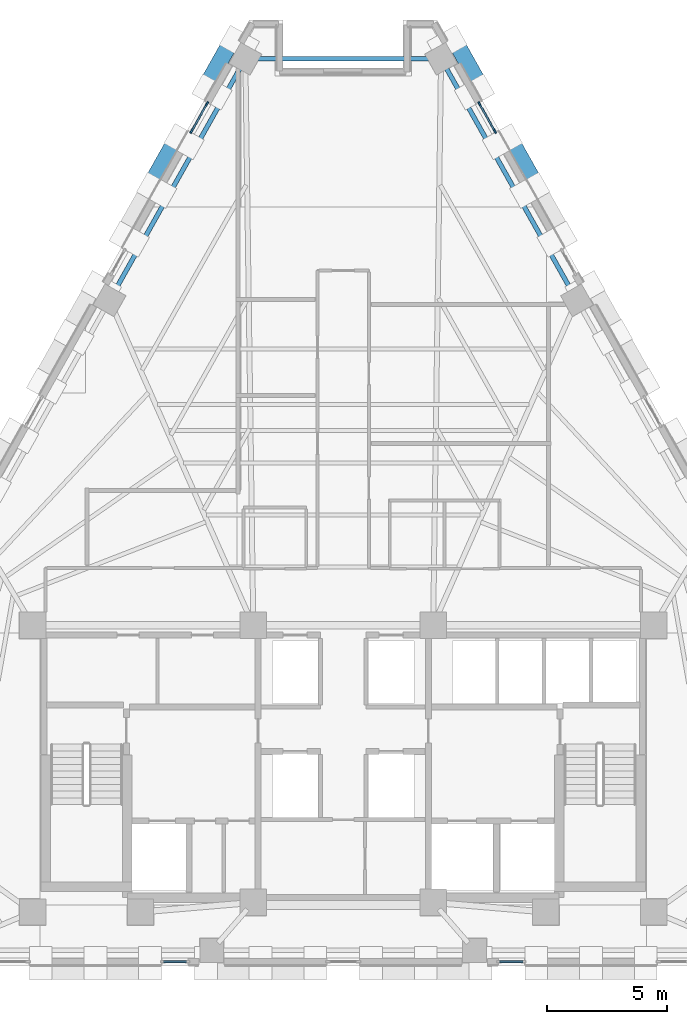
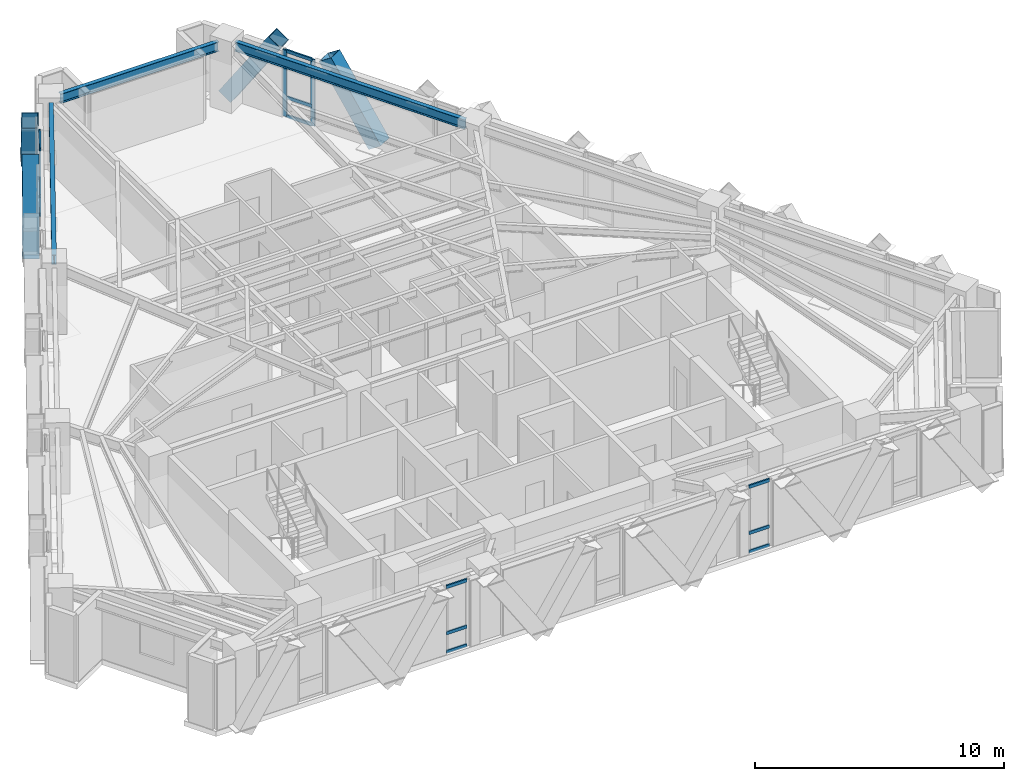
# One storey, part 5 of 13: 20 members, 3 beams, 4 elements without a shape of their own.
"""IFC4 building model written with IfcOpenShell, lengths in metres."""

import ifcopenshell
import ifcopenshell.guid

model = None  # the IFC model being written
_history = None  # IfcOwnerHistory: only IFC2X3 demands one
_inside = {}  # id of a spatial element -> (the spatial element, [elements in it])
_under = {}  # id of a project, library or spatial element -> (it, [spatial elements below it])
_declared = {}  # id of a project -> (the project, [libraries it declares])
_typed = {}  # id of a type object -> (the type object, [elements of that type])
_made_of = {}  # id of a material, layer set ... -> (it, [elements and type objects made of it])


def new_model(schema):
    """Start an empty IFC model of exactly this schema.

    Asked for "IFC4X3", IfcOpenShell would pick the latest addendum, in which some entities
    have other attributes; the version numbers below select the first issue.
    IFC2X3 requires an IfcOwnerHistory on every rooted entity: one is made here for all.
    """
    global model, _history
    if schema == "IFC4X3":
        model = ifcopenshell.file(schema_version=(4, 3, 0, 0))
    else:
        model = ifcopenshell.file(schema=schema)
    _inside.clear()
    _under.clear()
    _declared.clear()
    _typed.clear()
    _made_of.clear()
    _history = None
    if model.schema == "IFC2X3":
        org = make("IfcOrganization", Name="unknown")
        user = make(
            "IfcPersonAndOrganization",
            ThePerson=make("IfcPerson", FamilyName="unknown"),
            TheOrganization=org,
        )
        app = make(
            "IfcApplication",
            ApplicationDeveloper=org,
            Version="unknown",
            ApplicationFullName="unknown",
            ApplicationIdentifier="unknown",
        )
        _history = make(
            "IfcOwnerHistory",
            OwningUser=user,
            OwningApplication=app,
            ChangeAction="ADDED",
            CreationDate=0,
        )
    return model


def make(cls, **values):
    """One entity of the class cls with the attributes given. An attribute that is None is left unset."""
    return model.create_entity(
        cls, **{name: value for name, value in values.items() if value is not None}
    )


def rooted(cls, **values):
    """An entity with a GlobalId (a new one), such as an element, a storey or a relation."""
    return make(cls, GlobalId=ifcopenshell.guid.new(), OwnerHistory=_history, **values)


def si_unit(unit_type, name, prefix=None):
    """IfcSIUnit, for example si_unit("LENGTHUNIT", "METRE", prefix="MILLI")."""
    return make("IfcSIUnit", UnitType=unit_type, Prefix=prefix, Name=name)


def assignment(units):
    """IfcUnitAssignment: the units of a project."""
    return None if units is None else make("IfcUnitAssignment", Units=units)


def point(xyz):
    """IfcCartesianPoint."""
    return None if xyz is None else make("IfcCartesianPoint", Coordinates=xyz)


def direction(xyz):
    """IfcDirection."""
    return None if xyz is None else make("IfcDirection", DirectionRatios=xyz)


def frame(location, z_axis=None, x_axis=None):
    """IfcAxis2Placement3D, a coordinate frame: its origin and axes. An axis left out is left unset."""
    return make(
        "IfcAxis2Placement3D",
        Location=point(location),
        Axis=direction(z_axis),
        RefDirection=direction(x_axis),
    )


def frame_2d(location, x_axis=None):
    """IfcAxis2Placement2D, a coordinate frame in the plane: its origin and x axis."""
    return make(
        "IfcAxis2Placement2D", Location=point(location), RefDirection=direction(x_axis)
    )


def origin():
    """The frame at (0, 0, 0) with its axes left unset."""
    return frame((0.0, 0.0, 0.0))


def origin_2d():
    """The frame at (0, 0) in the plane with its x axis left unset."""
    return frame_2d((0.0, 0.0))


def place(relative_to, where):
    """IfcLocalPlacement: puts the frame where relative to a parent placement (None: the world)."""
    return make(
        "IfcLocalPlacement", PlacementRelTo=relative_to, RelativePlacement=where
    )


def context(
    kind, dimensions, precision=None, world=None, true_north=None, identifier=None
):
    """IfcGeometricRepresentationContext, for example the 3D "Model" context."""
    return make(
        "IfcGeometricRepresentationContext",
        ContextIdentifier=identifier,
        ContextType=kind,
        CoordinateSpaceDimension=dimensions,
        Precision=precision,
        WorldCoordinateSystem=world,
        TrueNorth=true_north,
    )


def subcontext(parent, identifier, kind, view, scale=None):
    """IfcGeometricRepresentationSubContext, for example "Body" below "Model"."""
    return make(
        "IfcGeometricRepresentationSubContext",
        ContextIdentifier=identifier,
        ContextType=kind,
        ParentContext=parent,
        TargetScale=scale,
        TargetView=view,
    )


def project(units=None, contexts=None):
    """IfcProject with its units and contexts."""
    return rooted(
        "IfcProject",
        Name="project",
        RepresentationContexts=contexts,
        UnitsInContext=assignment(units),
    )


def spatial(cls, under=None, at=None, **own):
    """A site, building, storey or space (cls), placed at a placement, below another one or the project."""
    s = rooted(cls, ObjectPlacement=at, **own)
    if under is not None:
        _under.setdefault(under.id(), (under, []))[1].append(s)
    return s


def profile(cls, at=None, kind="AREA", **sizes):
    """A parametric profile (cls). Its sizes go by their IFC names, for example OverallWidth=200.0."""
    return make(cls, ProfileType=kind, Position=at, **sizes)


def rectangle(**sizes):
    """IfcRectangleProfileDef."""
    return profile("IfcRectangleProfileDef", **sizes)


def hollow_rectangle(**sizes):
    """IfcRectangleHollowProfileDef."""
    return profile("IfcRectangleHollowProfileDef", **sizes)


def i_section(**sizes):
    """IfcIShapeProfileDef."""
    return profile("IfcIShapeProfileDef", **sizes)


def extrude(swept, where, along, depth):
    """IfcExtrudedAreaSolid: the profile swept, set in the frame where, extruded along a direction by depth."""
    return make(
        "IfcExtrudedAreaSolid",
        SweptArea=swept,
        Position=where,
        ExtrudedDirection=direction(along),
        Depth=depth,
    )


def shape(context_of_items, identifier, shape_type, items):
    """IfcShapeRepresentation: the items that make up one representation, for example the "Body"."""
    return make(
        "IfcShapeRepresentation",
        ContextOfItems=context_of_items,
        RepresentationIdentifier=identifier,
        RepresentationType=shape_type,
        Items=items,
    )


def material(Name=None, Category=None):
    """IfcMaterial."""
    return make("IfcMaterial", Name=Name, Category=Category)


def material_profile(
    of_material, cross_section, Name=None, Category=None, Priority=None
):
    """IfcMaterialProfile: a cross section and its material."""
    return make(
        "IfcMaterialProfile",
        Name=Name,
        Material=of_material,
        Profile=cross_section,
        Priority=Priority,
        Category=Category,
    )


def profile_set(profiles, Name=None, composite=None):
    """IfcMaterialProfileSet."""
    return make(
        "IfcMaterialProfileSet",
        Name=Name,
        MaterialProfiles=profiles,
        CompositeProfile=composite,
    )


def made_of(thing, what):
    """Note that an element or type object is made of a material, layer set ...; save() writes the relation."""
    if what is not None:
        _made_of.setdefault(what.id(), (what, []))[1].append(thing)
    return thing


def type_object(cls, material=None, **own):
    """A type object (cls), such as IfcWallType, which elements share."""
    return made_of(rooted(cls, **own), material)


def element(
    cls,
    number,
    at=None,
    inside=None,
    cuts=None,
    type_object=None,
    material=None,
    context=None,
    identifier="Body",
    shape_type=None,
    held_by="IfcProductDefinitionShape",
    body=None,
    shapes=None,
    **own,
):
    """One element of the class cls, such as IfcWall. Its Tag is "e" and its number.

    at: its placement. inside: the storey or other place that contains it. cuts: it is an
    opening in that element (IfcRelVoidsElement). A single representation is given by context,
    identifier, shape_type and body (its items); several are given by shapes. held_by: the class
    of the entity that holds the representations. save() writes the other relations.
    """
    e = rooted(cls, Tag="e%d" % number, ObjectPlacement=at, **own)
    if body is not None:
        shapes = [shape(context, identifier, shape_type, body)]
    if shapes is not None:
        e.Representation = make(held_by, Representations=shapes)
    if inside is not None:
        _inside.setdefault(inside.id(), (inside, []))[1].append(e)
    if cuts is not None:
        rooted(
            "IfcRelVoidsElement", RelatingBuildingElement=cuts, RelatedOpeningElement=e
        )
    if type_object is not None:
        _typed.setdefault(type_object.id(), (type_object, []))[1].append(e)
    return made_of(e, material)


def aggregate(whole, parts):
    """IfcRelAggregates: a whole, such as a stair, and the parts it consists of."""
    return rooted("IfcRelAggregates", RelatingObject=whole, RelatedObjects=parts)


def save(model, path):
    """Write the relations noted so far, then the file.

    IfcRelAggregates (storeys below a building ...), IfcRelContainedInSpatialStructure (elements
    in a storey), IfcRelDefinesByType, IfcRelAssociatesMaterial and IfcRelDeclares: one each for
    every whole, place, type object, material and project.
    """
    for whole, parts in _under.values():
        aggregate(whole, parts)
    for where, things in _inside.values():
        rooted(
            "IfcRelContainedInSpatialStructure",
            RelatedElements=things,
            RelatingStructure=where,
        )
    for kind, things in _typed.values():
        rooted("IfcRelDefinesByType", RelatedObjects=things, RelatingType=kind)
    for what, things in _made_of.values():
        rooted("IfcRelAssociatesMaterial", RelatedObjects=things, RelatingMaterial=what)
    for by, libraries in _declared.values():
        rooted("IfcRelDeclares", RelatingContext=by, RelatedDefinitions=libraries)
    model.write(path)


model = new_model("IFC4")

# Units and contexts
model_context = context("Model", 3, precision=1e-05, world=origin(), true_north=direction((0.0, 1.0)))
body_context = subcontext(model_context, "Body", "Model", "MODEL_VIEW")
ifc_project = project(units=[si_unit("LENGTHUNIT", "METRE"), si_unit("AREAUNIT", "SQUARE_METRE"), si_unit("VOLUMEUNIT", "CUBIC_METRE"), si_unit("PLANEANGLEUNIT", "RADIAN"), si_unit("MASSUNIT", "GRAM", prefix="KILO")], contexts=[model_context])

# Site, building, storey
site_placement = place(None, origin())
site = spatial("IfcSite", under=ifc_project, at=site_placement, CompositionType="ELEMENT")
building_placement = place(site_placement, origin())
building = spatial("IfcBuilding", under=site, at=building_placement, Name="Quenlor Broadcast Tower", CompositionType="ELEMENT")
storey_placement = place(building_placement, frame((0.0, 0.0, 151.0)))
storey = spatial("IfcBuildingStorey", under=building, at=storey_placement, Name="L41", CompositionType="ELEMENT", Elevation=151.0)

# Curtain wall, members
ifc_material_1 = material(Name="Architectural Terracotta and Low-E Glazing", Category="masonry")
curtain_wall_type = type_object("IfcCurtainWallType", Name="Unitised Terracotta Curtain Wall System Z3", PredefinedType="NOTDEFINED", material=ifc_material_1)
curtain_wall_1_placement = place(storey_placement, origin())
curtain_wall_1 = element("IfcCurtainWall", 1, at=curtain_wall_1_placement, inside=storey, type_object=curtain_wall_type, Name="L41 Curtain Wall CW3 (L41-NEA-G1)", PredefinedType="NOTDEFINED")
ifc_material_2 = material(Name="Aluminium 6063-T6", Category="aluminium")
ifc_material_profile_1 = material_profile(ifc_material_2, rectangle(XDim=0.070068359375, YDim=0.18994140625, at=origin_2d()))
ifc_profile_set_1 = profile_set([ifc_material_profile_1], Name="Aluminium 6063-T6 MULL70x190")
member_type_1 = type_object("IfcMemberType", Name="CW3 Aluminium Mullion MULL_CW3", PredefinedType="MULLION", material=ifc_profile_set_1)
member_1_placement = place(storey_placement, frame((5.677978515625, 16.94921875, 0.0), z_axis=(0.0, 0.0, 1.0), x_axis=(0.871592831439, 0.490230492916, 0.0)))
member_1 = element("IfcMember", 2, at=member_1_placement, type_object=member_type_1, Name="CW3 mullion 1", PredefinedType="MULLION", context=body_context, shape_type="SweptSolid", body=[
    extrude(rectangle(XDim=0.070068359375, YDim=0.18994140625, at=origin_2d()), origin(), (0.0, 0.0, 1.0), 3.25),
])
member_2_placement = place(storey_placement, frame((6.324951171875, 15.798828125, 0.0), z_axis=(0.0, 0.0, 1.0), x_axis=(0.871592831439, 0.490230492916, 0.0)))
member_2 = element("IfcMember", 3, at=member_2_placement, type_object=member_type_1, Name="CW3 mullion 2", PredefinedType="MULLION", context=body_context, shape_type="SweptSolid", body=[
    extrude(rectangle(XDim=0.070068359375, YDim=0.18994140625, at=origin_2d()), origin(), (0.0, 0.0, 1.0), 3.25),
])

curtain_wall_2_placement = place(storey_placement, origin())
curtain_wall_2 = element("IfcCurtainWall", 4, at=curtain_wall_2_placement, inside=storey, type_object=curtain_wall_type, Name="L41 Curtain Wall CW3 (L41-NWC-G2)", PredefinedType="NOTDEFINED")
member_3_placement = place(storey_placement, frame((-6.324951171875, 15.798828125, 0.0), z_axis=(0.0, 0.0, 1.0), x_axis=(-0.871592831439, 0.490230492916, 0.0)))
member_3 = element("IfcMember", 5, at=member_3_placement, type_object=member_type_1, Name="CW3 mullion 1", PredefinedType="MULLION", context=body_context, shape_type="SweptSolid", body=[
    extrude(rectangle(XDim=0.070068359375, YDim=0.18994140625, at=origin_2d()), origin(), (0.0, 0.0, 1.0), 3.25),
])
member_4_placement = place(storey_placement, frame((-5.677978515625, 16.94921875, 0.0), z_axis=(0.0, 0.0, 1.0), x_axis=(-0.871592831439, 0.490230492916, 0.0)))
member_4 = element("IfcMember", 6, at=member_4_placement, type_object=member_type_1, Name="CW3 mullion 2", PredefinedType="MULLION", context=body_context, shape_type="SweptSolid", body=[
    extrude(rectangle(XDim=0.070068359375, YDim=0.18994140625, at=origin_2d()), origin(), (0.0, 0.0, 1.0), 3.25),
])

curtain_wall_3_placement = place(storey_placement, origin())
curtain_wall_3 = element("IfcCurtainWall", 7, at=curtain_wall_3_placement, inside=storey, type_object=curtain_wall_type, Name="L41 Curtain Wall CW3 (L41-SA-G2)", PredefinedType="NOTDEFINED")
ifc_material_3 = material(Name="Aluminium 6063-T6", Category="aluminium")
ifc_material_profile_2 = material_profile(ifc_material_3, rectangle(XDim=0.070068359375, YDim=0.155029296875, at=origin_2d()))
ifc_profile_set_2 = profile_set([ifc_material_profile_2], Name="Aluminium 6063-T6 TRAN70x155")
member_type_2 = type_object("IfcMemberType", Name="CW3 Aluminium Transom TRAN_CW3", PredefinedType="USERDEFINED", material=ifc_profile_set_2)
member_5_placement = place(storey_placement, frame((7.487060546875, -18.824951171875, 0.034912109375), z_axis=(-1.0, 0.0, 0.0), x_axis=(0.0, -1.0, 0.0)))
member_5 = element("IfcMember", 8, at=member_5_placement, type_object=member_type_2, Name="CW3 transom 1.1", ObjectType="TRANSOM", PredefinedType="USERDEFINED", context=body_context, shape_type="SweptSolid", body=[
    extrude(rectangle(XDim=0.070068359375, YDim=0.155029296875, at=origin_2d()), origin(), (0.0, 0.0, 1.0), 0.951171875),
])
member_6_placement = place(storey_placement, frame((7.487060546875, -18.824951171875, 0.949951171875), z_axis=(-1.0, 0.0, 0.0), x_axis=(0.0, -1.0, 0.0)))
member_6 = element("IfcMember", 9, at=member_6_placement, type_object=member_type_2, Name="CW3 transom 1.2", ObjectType="TRANSOM", PredefinedType="USERDEFINED", context=body_context, shape_type="SweptSolid", body=[
    extrude(rectangle(XDim=0.070068359375, YDim=0.155029296875, at=origin_2d()), origin(), (0.0, 0.0, 1.0), 0.951171875),
])
member_7_placement = place(storey_placement, frame((7.487060546875, -18.824951171875, 3.215087890625), z_axis=(-1.0, 0.0, 0.0), x_axis=(0.0, -1.0, 0.0)))
member_7 = element("IfcMember", 10, at=member_7_placement, type_object=member_type_2, Name="CW3 transom 1.3", ObjectType="TRANSOM", PredefinedType="USERDEFINED", context=body_context, shape_type="SweptSolid", body=[
    extrude(rectangle(XDim=0.070068359375, YDim=0.155029296875, at=origin_2d()), origin(), (0.0, 0.0, 1.0), 0.951171875),
])
aggregate(curtain_wall_3, [member_5, member_6, member_7])

curtain_wall_4_placement = place(storey_placement, origin())
curtain_wall_4 = element("IfcCurtainWall", 11, at=curtain_wall_4_placement, inside=storey, type_object=curtain_wall_type, Name="L41 Curtain Wall CW3 (L41-SC-G1)", PredefinedType="NOTDEFINED")
member_8_placement = place(storey_placement, frame((-6.535888671875, -18.824951171875, 0.034912109375), z_axis=(-1.0, 0.0, 0.0), x_axis=(0.0, -1.0, 0.0)))
member_8 = element("IfcMember", 12, at=member_8_placement, type_object=member_type_2, Name="CW3 transom 1.1", ObjectType="TRANSOM", PredefinedType="USERDEFINED", context=body_context, shape_type="SweptSolid", body=[
    extrude(rectangle(XDim=0.070068359375, YDim=0.155029296875, at=origin_2d()), origin(), (0.0, 0.0, 1.0), 0.951171875),
])
member_9_placement = place(storey_placement, frame((-6.535888671875, -18.824951171875, 0.949951171875), z_axis=(-1.0, 0.0, 0.0), x_axis=(0.0, -1.0, 0.0)))
member_9 = element("IfcMember", 13, at=member_9_placement, type_object=member_type_2, Name="CW3 transom 1.2", ObjectType="TRANSOM", PredefinedType="USERDEFINED", context=body_context, shape_type="SweptSolid", body=[
    extrude(rectangle(XDim=0.070068359375, YDim=0.155029296875, at=origin_2d()), origin(), (0.0, 0.0, 1.0), 0.951171875),
])
member_10_placement = place(storey_placement, frame((-6.535888671875, -18.824951171875, 3.215087890625), z_axis=(-1.0, 0.0, 0.0), x_axis=(0.0, -1.0, 0.0)))
member_10 = element("IfcMember", 14, at=member_10_placement, type_object=member_type_2, Name="CW3 transom 1.3", ObjectType="TRANSOM", PredefinedType="USERDEFINED", context=body_context, shape_type="SweptSolid", body=[
    extrude(rectangle(XDim=0.070068359375, YDim=0.155029296875, at=origin_2d()), origin(), (0.0, 0.0, 1.0), 0.951171875),
])
aggregate(curtain_wall_4, [member_8, member_9, member_10])

# Member
member_11_placement = place(storey_placement, frame((5.695068359375, 16.918701171875, 0.034912109375), z_axis=(0.490131387775, -0.871648566062, 0.0), x_axis=(0.871648566062, 0.490131387775, 0.0)))
member_11 = element("IfcMember", 15, at=member_11_placement, type_object=member_type_2, Name="CW3 transom 1.1", ObjectType="TRANSOM", PredefinedType="USERDEFINED", context=body_context, shape_type="SweptSolid", body=[
    extrude(rectangle(XDim=0.070068359375, YDim=0.155029296875, at=origin_2d()), origin(), (0.0, 0.0, 1.0), 1.249755859375),
])

member_12_placement = place(storey_placement, frame((5.695068359375, 16.918701171875, 0.949951171875), z_axis=(0.490131387775, -0.871648566062, 0.0), x_axis=(0.871648566062, 0.490131387775, 0.0)))
member_12 = element("IfcMember", 16, at=member_12_placement, type_object=member_type_2, Name="CW3 transom 1.2", ObjectType="TRANSOM", PredefinedType="USERDEFINED", context=body_context, shape_type="SweptSolid", body=[
    extrude(rectangle(XDim=0.070068359375, YDim=0.155029296875, at=origin_2d()), origin(), (0.0, 0.0, 1.0), 1.249755859375),
])

member_13_placement = place(storey_placement, frame((5.695068359375, 16.918701171875, 3.215087890625), z_axis=(0.490131387775, -0.871648566062, 0.0), x_axis=(0.871648566062, 0.490131387775, 0.0)))
member_13 = element("IfcMember", 17, at=member_13_placement, type_object=member_type_2, Name="CW3 transom 1.3", ObjectType="TRANSOM", PredefinedType="USERDEFINED", context=body_context, shape_type="SweptSolid", body=[
    extrude(rectangle(XDim=0.070068359375, YDim=0.155029296875, at=origin_2d()), origin(), (0.0, 0.0, 1.0), 1.249755859375),
])

aggregate(curtain_wall_1, [member_1, member_2, member_11, member_12, member_13])

member_14_placement = place(storey_placement, frame((-6.3076171875, 15.829345703125, 0.034912109375), z_axis=(0.490131387775, 0.871648566062, 0.0), x_axis=(-0.871648566062, 0.490131387775, 0.0)))
member_14 = element("IfcMember", 18, at=member_14_placement, type_object=member_type_2, Name="CW3 transom 1.1", ObjectType="TRANSOM", PredefinedType="USERDEFINED", context=body_context, shape_type="SweptSolid", body=[
    extrude(rectangle(XDim=0.070068359375, YDim=0.155029296875, at=origin_2d()), origin(), (0.0, 0.0, 1.0), 1.249755859375),
])

member_15_placement = place(storey_placement, frame((-6.3076171875, 15.829345703125, 0.949951171875), z_axis=(0.490131387775, 0.871648566062, 0.0), x_axis=(-0.871648566062, 0.490131387775, 0.0)))
member_15 = element("IfcMember", 19, at=member_15_placement, type_object=member_type_2, Name="CW3 transom 1.2", ObjectType="TRANSOM", PredefinedType="USERDEFINED", context=body_context, shape_type="SweptSolid", body=[
    extrude(rectangle(XDim=0.070068359375, YDim=0.155029296875, at=origin_2d()), origin(), (0.0, 0.0, 1.0), 1.249755859375),
])

member_16_placement = place(storey_placement, frame((-6.3076171875, 15.829345703125, 3.215087890625), z_axis=(0.490131387775, 0.871648566062, 0.0), x_axis=(-0.871648566062, 0.490131387775, 0.0)))
member_16 = element("IfcMember", 20, at=member_16_placement, type_object=member_type_2, Name="CW3 transom 1.3", ObjectType="TRANSOM", PredefinedType="USERDEFINED", context=body_context, shape_type="SweptSolid", body=[
    extrude(rectangle(XDim=0.070068359375, YDim=0.155029296875, at=origin_2d()), origin(), (0.0, 0.0, 1.0), 1.249755859375),
])

aggregate(curtain_wall_2, [member_3, member_4, member_14, member_15, member_16])

# Members
ifc_material_4 = material(Name="Steel S355", Category="steel")
ifc_material_profile_3 = material_profile(ifc_material_4, hollow_rectangle(XDim=0.679931640625, YDim=0.679931640625, WallThickness=0.02490234375, at=origin_2d()))
ifc_profile_set_3 = profile_set([ifc_material_profile_3], Name="Steel S355 RHS680x680x25")
member_type_3 = type_object("IfcMemberType", Name="Perimeter Diagonal Lattice Brace Z3-Z4 Steel S355 RHS680x25", PredefinedType="BRACE", material=ifc_profile_set_3)
for number, where, z_axis, x_axis, name in (
    (21, (4.62841796875, 19.620361328125, -0.1201171875), (0.2705491942, -0.481008661973, 0.833926735766), (0.871589611547, 0.490236217596, 0.0), "L41 Perimeter Diamond Lattice NE-C1S"),
    (22, (8.062744140625, 13.514892578125, -0.1201171875), (-0.2705491942, 0.481008661973, 0.833926735766), (-0.871589611547, -0.490236217596, 0.0), "L41 Perimeter Diamond Lattice NE-C1B"),
    (23, (-8.062744140625, 13.514892578125, -0.1201171875), (0.2705491942, 0.481008661973, 0.833926735766), (-0.871589611547, 0.490236217596, 0.0), "L41 Perimeter Diamond Lattice NW-C5S"),
    (24, (-4.62841796875, 19.620361328125, -0.1201171875), (-0.2705491942, -0.481008661973, 0.833926735766), (0.871589611547, -0.490236217596, 0.0), "L41 Perimeter Diamond Lattice NW-C5B"),
):
    element("IfcMember", number, at=place(storey_placement, frame(where, z_axis=z_axis, x_axis=x_axis)), inside=storey, type_object=member_type_3, Name=name, PredefinedType="BRACE", context=body_context, shape_type="SweptSolid", body=[
        extrude(hollow_rectangle(XDim=0.679931640625, YDim=0.679931640625, WallThickness=0.02490234375, at=origin_2d()), origin(), (0.0, 0.0, 1.0), 4.197021484375),
    ])

# Beams
ifc_material_5 = material(Name="Steel S355", Category="steel")
ifc_material_profile_4 = material_profile(ifc_material_5, i_section(OverallWidth=0.19091796875, OverallDepth=0.46044921875, WebThickness=0.010009765625, FlangeThickness=0.01611328125, FilletRadius=0.011474609375, at=origin_2d()))
ifc_profile_set_4 = profile_set([ifc_material_profile_4], Name="Steel S355 460UB82.1")
beam_type = type_object("IfcBeamType", Name="Perimeter Spandrel Beam Z3 Steel S355 460UB82.1", PredefinedType="SPANDREL", material=ifc_profile_set_4)
beam_1_placement = place(storey_placement, frame((9.5419921875, 9.110595703125, 3.019775390625), z_axis=(-0.490257999604, 0.871577359633, 0.0), x_axis=(-0.871577359633, -0.490257999604, 0.0)))
element("IfcBeam", 25, at=beam_1_placement, inside=storey, type_object=beam_type, Name="L41 Spandrel Beam NE3-NE4", PredefinedType="SPANDREL", context=body_context, shape_type="SweptSolid", body=[
    extrude(i_section(OverallWidth=0.19091796875, OverallDepth=0.46044921875, WebThickness=0.010009765625, FlangeThickness=0.01611328125, FilletRadius=0.011474609375, at=origin_2d()), origin(), (0.0, 0.0, 1.0), 10.732666015625),
])
beam_2_placement = place(storey_placement, frame((3.669189453125, 18.822021484375, 3.019775390625), z_axis=(-1.0, 0.0, 0.0), x_axis=(0.0, -1.0, 0.0)))
element("IfcBeam", 26, at=beam_2_placement, inside=storey, type_object=beam_type, Name="L41 Spandrel Beam NE4-NW1", PredefinedType="SPANDREL", context=body_context, shape_type="SweptSolid", body=[
    extrude(i_section(OverallWidth=0.19091796875, OverallDepth=0.46044921875, WebThickness=0.010009765625, FlangeThickness=0.01611328125, FilletRadius=0.011474609375, at=origin_2d()), origin(), (0.0, 0.0, 1.0), 7.33837890625),
])
beam_3_placement = place(storey_placement, frame((-4.2802734375, 18.46484375, 3.019775390625), z_axis=(-0.490257999604, -0.871577359633, 0.0), x_axis=(0.871577359633, -0.490257999604, 0.0)))
element("IfcBeam", 27, at=beam_3_placement, inside=storey, type_object=beam_type, Name="L41 Spandrel Beam NW1-NW2", PredefinedType="SPANDREL", context=body_context, shape_type="SweptSolid", body=[
    extrude(i_section(OverallWidth=0.19091796875, OverallDepth=0.46044921875, WebThickness=0.010009765625, FlangeThickness=0.01611328125, FilletRadius=0.011474609375, at=origin_2d()), origin(), (0.0, 0.0, 1.0), 10.732666015625),
])

save(model, "model.ifc")
